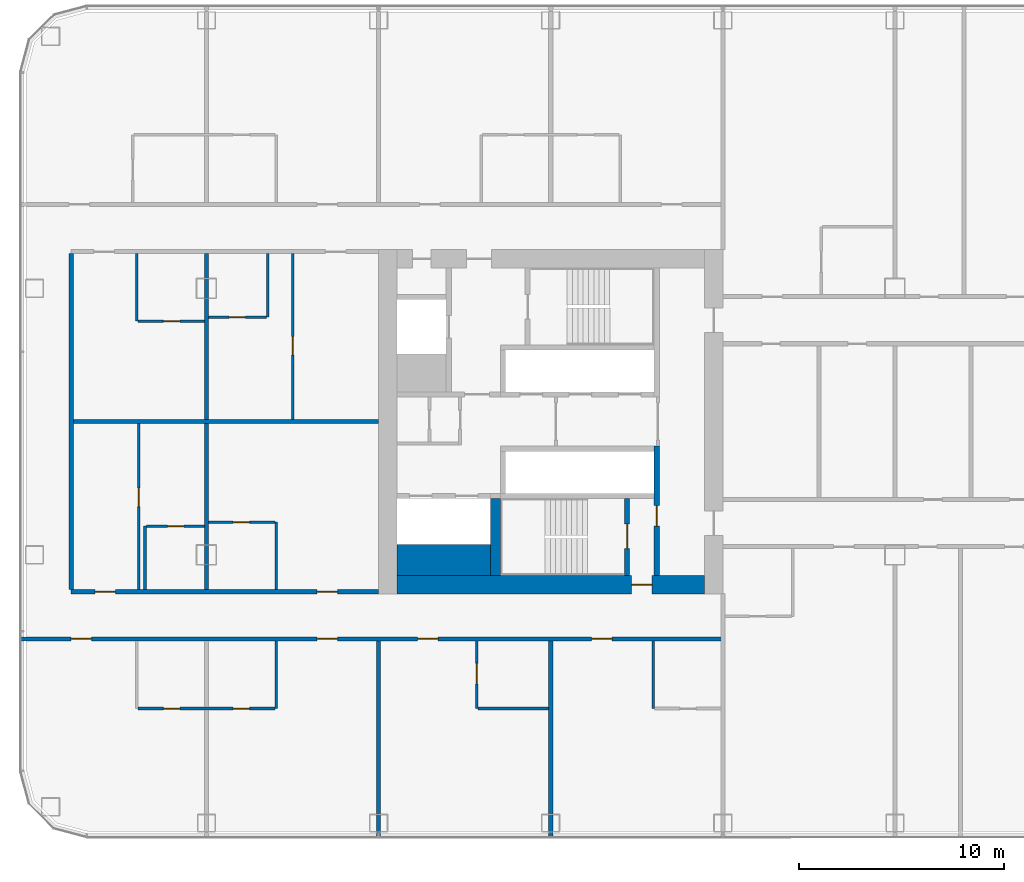
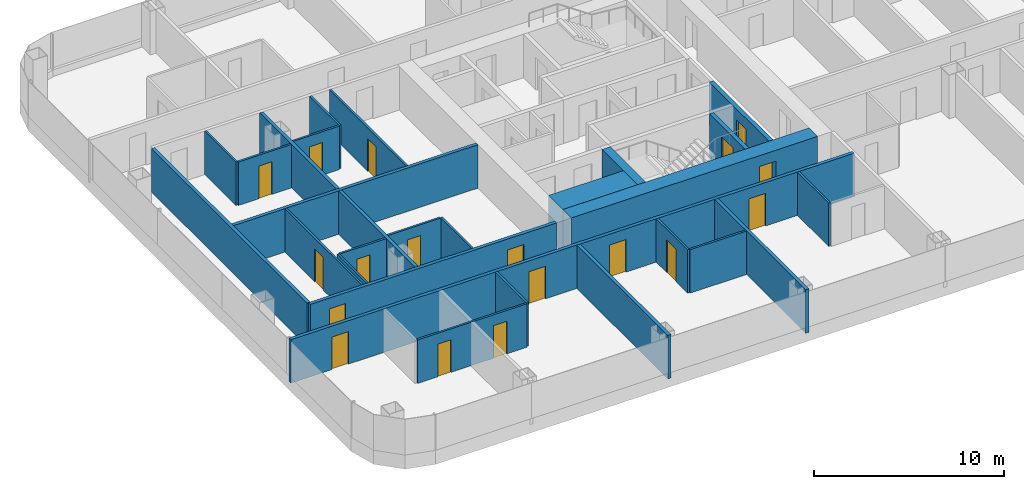
# One storey, part 13 of 28: 27 walls, 18 doors, 18 openings.
"""IFC4 building model written with IfcOpenShell, lengths in metres."""

from ifc_helpers import new_model, si_unit, direction, frame, frame_2d, origin, place, context, subcontext, project, spatial, rectangle, extrude, material, layer, layer_set, type_object, element, fill, save


model = new_model("IFC4")

# Units and contexts
model_context = context("Model", 3, precision=1e-05, world=origin(), true_north=direction((0.0, 1.0)))
body_context = subcontext(model_context, "Body", "Model", "MODEL_VIEW")
ifc_project = project(units=[si_unit("LENGTHUNIT", "METRE"), si_unit("AREAUNIT", "SQUARE_METRE"), si_unit("VOLUMEUNIT", "CUBIC_METRE"), si_unit("PLANEANGLEUNIT", "RADIAN"), si_unit("MASSUNIT", "GRAM", prefix="KILO")], contexts=[model_context])

# Site, building, storey
site_placement = place(None, origin())
site = spatial("IfcSite", under=ifc_project, at=site_placement, CompositionType="ELEMENT")
building_placement = place(site_placement, origin())
building = spatial("IfcBuilding", under=site, at=building_placement, Name="Hakoniwa Tower and Hamabe Station Hall", CompositionType="ELEMENT")
storey_placement = place(building_placement, frame((0.0, 0.0, 35.800048828125)))
storey = spatial("IfcBuildingStorey", under=building, at=storey_placement, Name="L09", CompositionType="ELEMENT", Elevation=35.800048828125)

# Wall, openings, doors
ifc_material_1 = material(Name="Gypsum board partition", Category="gypsum")
ifc_layer_1 = layer(ifc_material_1, 0.125)
ifc_layer_set_1 = layer_set([ifc_layer_1], Name="Bathroom Partition 125")
wall_type_1 = type_object("IfcWallType", Name="Bathroom Partition 125", PredefinedType="PARTITIONING", material=ifc_layer_set_1)
wall_1_placement = place(storey_placement, frame((-45.33740234375, -14.0, 0.0), z_axis=(0.0, 0.0, 1.0), x_axis=(1.0, 0.0, 0.0)))
wall_1 = element("IfcWall", 1, at=wall_1_placement, inside=storey, type_object=wall_type_1, Name="GW-L09-001", PredefinedType="PARTITIONING", context=body_context, shape_type="SweptSolid", body=[
    extrude(rectangle(XDim=6.6748046875, YDim=0.125, at=frame_2d((3.33740234375, 0.0))), origin(), (0.0, 0.0, 1.0), 2.800048828125),
])
opening_1_placement = place(wall_1_placement, frame((1.237548828125, 0.0, 0.0)))
opening_1 = element("IfcOpeningElement", 2, at=opening_1_placement, cuts=wall_1, Name="Opening GD-G1A1-01", PredefinedType="OPENING", context=body_context, shape_type="SweptSolid", body=[
    extrude(rectangle(XDim=0.800048828125, YDim=2.10009765625, at=frame_2d((0.39990234375, 1.050048828125))), frame((0.0, 0.072509765625, 0.0), z_axis=(0.0, -1.0, 0.0), x_axis=(1.0, 0.0, 0.0)), (0.0, 0.0, 1.0), 0.14501953125),
])
opening_2_placement = place(wall_1_placement, frame((4.637451171875, 0.0, 0.0)))
opening_2 = element("IfcOpeningElement", 3, at=opening_2_placement, cuts=wall_1, Name="Opening GD-G1A1-02", PredefinedType="OPENING", context=body_context, shape_type="SweptSolid", body=[
    extrude(rectangle(XDim=0.800048828125, YDim=2.10009765625, at=frame_2d((0.39990234375, 1.050048828125))), frame((0.0, 0.072509765625, 0.0), z_axis=(0.0, -1.0, 0.0), x_axis=(1.0, 0.0, 0.0)), (0.0, 0.0, 1.0), 0.14501953125),
])
ifc_material_2 = material(Name="Timber door leaf", Category="wood")
door_type_1 = type_object("IfcDoorType", Name="Bathroom Door 800", OperationType="SINGLE_SWING_LEFT", PredefinedType="DOOR", material=ifc_material_2)
door_1_placement = place(opening_1_placement, origin())
door_1 = element("IfcDoor", 4, at=door_1_placement, inside=storey, type_object=door_type_1, Name="Door GD-G1A1-01", OperationType="SINGLE_SWING_LEFT", OverallHeight=2.10009765625, OverallWidth=0.800048828125, PredefinedType="DOOR", context=body_context, shape_type="SweptSolid", body=[
    extrude(rectangle(XDim=0.800048828125, YDim=2.10009765625, at=frame_2d((0.39990234375, 1.050048828125))), frame((0.0, 0.02490234375, 0.0), z_axis=(0.0, -1.0, 0.0), x_axis=(1.0, 0.0, 0.0)), (0.0, 0.0, 1.0), 0.050048828125),
])
fill(opening_1, door_1)
door_2_placement = place(opening_2_placement, origin())
door_2 = element("IfcDoor", 5, at=door_2_placement, inside=storey, type_object=door_type_1, Name="Door GD-G1A1-02", OperationType="SINGLE_SWING_RIGHT", OverallHeight=2.10009765625, OverallWidth=0.800048828125, PredefinedType="DOOR", context=body_context, shape_type="SweptSolid", body=[
    extrude(rectangle(XDim=0.800048828125, YDim=2.10009765625, at=frame_2d((0.39990234375, 1.050048828125))), frame((0.0, 0.02490234375, 0.0), z_axis=(0.0, -1.0, 0.0), x_axis=(1.0, 0.0, 0.0)), (0.0, 0.0, 1.0), 0.050048828125),
])
fill(opening_2, door_2)

# Wall
wall_2_placement = place(storey_placement, frame((-28.737548828125, -14.0, 0.0), z_axis=(0.0, 0.0, 1.0), x_axis=(1.0, 0.0, 0.0)))
element("IfcWall", 6, at=wall_2_placement, inside=storey, type_object=wall_type_1, Name="GW-L09-002", PredefinedType="PARTITIONING", context=body_context, shape_type="SweptSolid", body=[
    extrude(rectangle(XDim=3.4375, YDim=0.125, at=frame_2d((1.71875, 0.0))), origin(), (0.0, 0.0, 1.0), 2.800048828125),
])

# Wall, opening, door
wall_3_placement = place(storey_placement, frame((-44.9375, -5.10009765625, 0.0), z_axis=(0.0, 0.0, 1.0), x_axis=(1.0, 0.0, 0.0)))
wall_3 = element("IfcWall", 7, at=wall_3_placement, inside=storey, type_object=wall_type_1, Name="GW-L09-015", PredefinedType="PARTITIONING", context=body_context, shape_type="SweptSolid", body=[
    extrude(rectangle(XDim=2.83740234375, YDim=0.125, at=frame_2d((1.418701171875, 0.0))), origin(), (0.0, 0.0, 1.0), 2.800048828125),
])
opening_3_placement = place(wall_3_placement, frame((1.03759765625, 0.0, 0.0)))
opening_3 = element("IfcOpeningElement", 8, at=opening_3_placement, cuts=wall_3, Name="Opening GD-G1A1-28", PredefinedType="OPENING", context=body_context, shape_type="SweptSolid", body=[
    extrude(rectangle(XDim=0.800048828125, YDim=2.10009765625, at=frame_2d((0.39990234375, 1.050048828125))), frame((0.0, 0.072509765625, 0.0), z_axis=(0.0, -1.0, 0.0), x_axis=(1.0, 0.0, 0.0)), (0.0, 0.0, 1.0), 0.14501953125),
])
door_3_placement = place(opening_3_placement, origin())
door_3 = element("IfcDoor", 9, at=door_3_placement, inside=storey, type_object=door_type_1, Name="Door GD-G1A1-28", OperationType="SINGLE_SWING_LEFT", OverallHeight=2.10009765625, OverallWidth=0.800048828125, PredefinedType="DOOR", context=body_context, shape_type="SweptSolid", body=[
    extrude(rectangle(XDim=0.800048828125, YDim=2.10009765625, at=frame_2d((0.39990234375, 1.050048828125))), frame((0.0, 0.02490234375, 0.0), z_axis=(0.0, -1.0, 0.0), x_axis=(1.0, 0.0, 0.0)), (0.0, 0.0, 1.0), 0.050048828125),
])
fill(opening_3, door_3)

wall_4_placement = place(storey_placement, frame((-41.89990234375, -4.89990234375, 0.0), z_axis=(0.0, 0.0, 1.0), x_axis=(1.0, 0.0, 0.0)))
wall_4 = element("IfcWall", 10, at=wall_4_placement, inside=storey, type_object=wall_type_1, Name="GW-L09-017", PredefinedType="PARTITIONING", context=body_context, shape_type="SweptSolid", body=[
    extrude(rectangle(XDim=3.2373046875, YDim=0.125, at=frame_2d((1.61865234375, 0.0))), origin(), (0.0, 0.0, 1.0), 2.800048828125),
])
opening_4_placement = place(wall_4_placement, frame((1.199951171875, 0.0, 0.0)))
opening_4 = element("IfcOpeningElement", 11, at=opening_4_placement, cuts=wall_4, Name="Opening GD-G1A1-30", PredefinedType="OPENING", context=body_context, shape_type="SweptSolid", body=[
    extrude(rectangle(XDim=0.800048828125, YDim=2.10009765625, at=frame_2d((0.39990234375, 1.050048828125))), frame((0.0, 0.072509765625, 0.0), z_axis=(0.0, -1.0, 0.0), x_axis=(1.0, 0.0, 0.0)), (0.0, 0.0, 1.0), 0.14501953125),
])
door_4_placement = place(opening_4_placement, origin())
door_4 = element("IfcDoor", 12, at=door_4_placement, inside=storey, type_object=door_type_1, Name="Door GD-G1A1-30", OperationType="SINGLE_SWING_RIGHT", OverallHeight=2.10009765625, OverallWidth=0.800048828125, PredefinedType="DOOR", context=body_context, shape_type="SweptSolid", body=[
    extrude(rectangle(XDim=0.800048828125, YDim=2.10009765625, at=frame_2d((0.39990234375, 1.050048828125))), frame((0.0, 0.02490234375, 0.0), z_axis=(0.0, -1.0, 0.0), x_axis=(1.0, 0.0, 0.0)), (0.0, 0.0, 1.0), 0.050048828125),
])
fill(opening_4, door_4)

wall_5_placement = place(storey_placement, frame((-45.33740234375, 4.89990234375, 0.0), z_axis=(0.0, 0.0, 1.0), x_axis=(1.0, 0.0, 0.0)))
wall_5 = element("IfcWall", 13, at=wall_5_placement, inside=storey, type_object=wall_type_1, Name="GW-L09-023", PredefinedType="PARTITIONING", context=body_context, shape_type="SweptSolid", body=[
    extrude(rectangle(XDim=3.2373046875, YDim=0.125, at=frame_2d((1.61865234375, 0.0))), origin(), (0.0, 0.0, 1.0), 2.800048828125),
])
opening_5_placement = place(wall_5_placement, frame((1.237548828125, 0.0, 0.0)))
opening_5 = element("IfcOpeningElement", 14, at=opening_5_placement, cuts=wall_5, Name="Opening GD-G1A1-40", PredefinedType="OPENING", context=body_context, shape_type="SweptSolid", body=[
    extrude(rectangle(XDim=0.800048828125, YDim=2.10009765625, at=frame_2d((0.39990234375, 1.050048828125))), frame((0.0, 0.072509765625, 0.0), z_axis=(0.0, -1.0, 0.0), x_axis=(1.0, 0.0, 0.0)), (0.0, 0.0, 1.0), 0.14501953125),
])
door_5_placement = place(opening_5_placement, origin())
door_5 = element("IfcDoor", 15, at=door_5_placement, inside=storey, type_object=door_type_1, Name="Door GD-G1A1-40", OperationType="SINGLE_SWING_RIGHT", OverallHeight=2.10009765625, OverallWidth=0.800048828125, PredefinedType="DOOR", context=body_context, shape_type="SweptSolid", body=[
    extrude(rectangle(XDim=0.800048828125, YDim=2.10009765625, at=frame_2d((0.39990234375, 1.050048828125))), frame((0.0, 0.02490234375, 0.0), z_axis=(0.0, -1.0, 0.0), x_axis=(1.0, 0.0, 0.0)), (0.0, 0.0, 1.0), 0.050048828125),
])
fill(opening_5, door_5)

wall_6_placement = place(storey_placement, frame((-41.89990234375, 5.10009765625, 0.0), z_axis=(0.0, 0.0, 1.0), x_axis=(1.0, 0.0, 0.0)))
wall_6 = element("IfcWall", 16, at=wall_6_placement, inside=storey, type_object=wall_type_1, Name="GW-L09-026", PredefinedType="PARTITIONING", context=body_context, shape_type="SweptSolid", body=[
    extrude(rectangle(XDim=2.83740234375, YDim=0.125, at=frame_2d((1.418701171875, 0.0))), origin(), (0.0, 0.0, 1.0), 2.800048828125),
])
opening_6_placement = place(wall_6_placement, frame((1.0, 0.0, 0.0)))
opening_6 = element("IfcOpeningElement", 17, at=opening_6_placement, cuts=wall_6, Name="Opening GD-G1A1-43", PredefinedType="OPENING", context=body_context, shape_type="SweptSolid", body=[
    extrude(rectangle(XDim=0.800048828125, YDim=2.10009765625, at=frame_2d((0.39990234375, 1.050048828125))), frame((0.0, 0.072509765625, 0.0), z_axis=(0.0, -1.0, 0.0), x_axis=(1.0, 0.0, 0.0)), (0.0, 0.0, 1.0), 0.14501953125),
])
door_6_placement = place(opening_6_placement, origin())
door_6 = element("IfcDoor", 18, at=door_6_placement, inside=storey, type_object=door_type_1, Name="Door GD-G1A1-43", OperationType="SINGLE_SWING_LEFT", OverallHeight=2.10009765625, OverallWidth=0.800048828125, PredefinedType="DOOR", context=body_context, shape_type="SweptSolid", body=[
    extrude(rectangle(XDim=0.800048828125, YDim=2.10009765625, at=frame_2d((0.39990234375, 1.050048828125))), frame((0.0, 0.02490234375, 0.0), z_axis=(0.0, -1.0, 0.0), x_axis=(1.0, 0.0, 0.0)), (0.0, 0.0, 1.0), 0.050048828125),
])
fill(opening_6, door_6)

# Walls
wall_7_placement = place(storey_placement, frame((-45.39990234375, 4.89990234375, 0.0), z_axis=(0.0, 0.0, 1.0), x_axis=(0.0, 1.0, 0.0)))
element("IfcWall", 19, at=wall_7_placement, inside=storey, type_object=wall_type_1, Name="GW-L09-042", PredefinedType="PARTITIONING", context=body_context, shape_type="SweptSolid", body=[
    extrude(rectangle(XDim=3.300048828125, YDim=0.125, at=frame_2d((1.64990234375, 0.0))), origin(), (0.0, 0.0, 1.0), 2.800048828125),
])
for number, where, z_axis, x_axis, name in (
    (20, (-45.0, -8.199951171875, 0.0), (0.0, 0.0, 1.0), (0.0, 1.0, 0.0), "GW-L09-044"),
    (21, (-39.0, 5.10009765625, 0.0), (0.0, 0.0, 1.0), (0.0, 1.0, 0.0), "GW-L09-048"),
):
    element("IfcWall", number, at=place(storey_placement, frame(where, z_axis=z_axis, x_axis=x_axis)), inside=storey, type_object=wall_type_1, Name=name, PredefinedType="PARTITIONING", context=body_context, shape_type="SweptSolid", body=[
        extrude(rectangle(XDim=3.099853515625, YDim=0.125, at=frame_2d((1.5498046875, 0.0))), origin(), (0.0, 0.0, 1.0), 2.800048828125),
    ])
for number, where, z_axis, x_axis, name in (
    (22, (-38.60009765625, -14.0, 0.0), (0.0, 0.0, 1.0), (0.0, 1.0, 0.0), "GW-L09-049"),
    (23, (-38.60009765625, -8.199951171875, 0.0), (0.0, 0.0, 1.0), (0.0, 1.0, 0.0), "GW-L09-050"),
):
    element("IfcWall", number, at=place(storey_placement, frame(where, z_axis=z_axis, x_axis=x_axis)), inside=storey, type_object=wall_type_1, Name=name, PredefinedType="PARTITIONING", context=body_context, shape_type="SweptSolid", body=[
        extrude(rectangle(XDim=3.300048828125, YDim=0.125, at=frame_2d((1.64990234375, 0.0))), origin(), (0.0, 0.0, 1.0), 2.800048828125),
    ])

# Wall, opening, door
wall_8_placement = place(storey_placement, frame((-28.800048828125, -14.0, 0.0), z_axis=(0.0, 0.0, 1.0), x_axis=(0.0, 1.0, 0.0)))
wall_8 = element("IfcWall", 24, at=wall_8_placement, inside=storey, type_object=wall_type_1, Name="GW-L09-055", PredefinedType="PARTITIONING", context=body_context, shape_type="SweptSolid", body=[
    extrude(rectangle(XDim=3.300048828125, YDim=0.125, at=frame_2d((1.64990234375, 0.0))), origin(), (0.0, 0.0, 1.0), 2.800048828125),
])
opening_7_placement = place(wall_8_placement, frame((1.199951171875, 0.0, 0.0)))
opening_7 = element("IfcOpeningElement", 25, at=opening_7_placement, cuts=wall_8, Name="Opening GD-G1A1-73", PredefinedType="OPENING", context=body_context, shape_type="SweptSolid", body=[
    extrude(rectangle(XDim=1.0, YDim=2.10009765625, at=frame_2d((0.5, 1.050048828125))), frame((0.0, 0.072509765625, 0.0), z_axis=(0.0, -1.0, 0.0), x_axis=(1.0, 0.0, 0.0)), (0.0, 0.0, 1.0), 0.14501953125),
])
ifc_material_3 = material(Name="Timber door leaf", Category="wood")
door_type_2 = type_object("IfcDoorType", Name="Accessible Bathroom Door 1000", OperationType="SINGLE_SWING_LEFT", PredefinedType="DOOR", material=ifc_material_3)
door_7_placement = place(opening_7_placement, origin())
door_7 = element("IfcDoor", 26, at=door_7_placement, inside=storey, type_object=door_type_2, Name="Door GD-G1A1-73", OperationType="SINGLE_SWING_LEFT", OverallHeight=2.10009765625, OverallWidth=1.0, PredefinedType="DOOR", context=body_context, shape_type="SweptSolid", body=[
    extrude(rectangle(XDim=1.0, YDim=2.10009765625, at=frame_2d((0.5, 1.050048828125))), frame((0.0, 0.02490234375, 0.0), z_axis=(0.0, -1.0, 0.0), x_axis=(1.0, 0.0, 0.0)), (0.0, 0.0, 1.0), 0.050048828125),
])
fill(opening_7, door_7)

# Wall
wall_9_placement = place(storey_placement, frame((-20.199951171875, -14.0, 0.0), z_axis=(0.0, 0.0, 1.0), x_axis=(0.0, 1.0, 0.0)))
element("IfcWall", 27, at=wall_9_placement, inside=storey, type_object=wall_type_1, Name="GW-L09-060", PredefinedType="PARTITIONING", context=body_context, shape_type="SweptSolid", body=[
    extrude(rectangle(XDim=3.300048828125, YDim=0.125, at=frame_2d((1.64990234375, 0.0))), origin(), (0.0, 0.0, 1.0), 2.800048828125),
])

# Wall, opening, door
ifc_material_4 = material(Name="Concrete C80", Category="concrete")
ifc_layer_2 = layer(ifc_material_4, 0.89990234375)
ifc_layer_set_2 = layer_set([ifc_layer_2], Name="CORE WALL 900 C80")
wall_type_2 = type_object("IfcWallType", Name="CORE WALL 900 C80", PredefinedType="SHEAR", material=ifc_layer_set_2)
wall_10_placement = place(storey_placement, frame((-32.699951171875, -7.949951171875, 0.0), z_axis=(0.0, 0.0, 1.0), x_axis=(1.0, 0.0, 0.0)))
wall_10 = element("IfcWall", 28, at=wall_10_placement, inside=storey, type_object=wall_type_2, Name="Core wall SOUTH west", PredefinedType="SHEAR", context=body_context, shape_type="SweptSolid", body=[
    extrude(rectangle(XDim=15.0, YDim=0.89990234375, at=frame_2d((7.5, 0.0))), origin(), (0.0, 0.0, 1.0), 2.800048828125),
])
opening_8_placement = place(wall_10_placement, frame((11.449951171875, 0.0, 0.0)))
opening_8 = element("IfcOpeningElement", 29, at=opening_8_placement, cuts=wall_10, Name="Opening CD-W-FS3-10", PredefinedType="OPENING", context=body_context, shape_type="SweptSolid", body=[
    extrude(rectangle(XDim=1.0, YDim=2.10009765625, at=frame_2d((0.5, 1.050048828125))), frame((0.0, 0.4599609375, 0.0), z_axis=(0.0, -1.0, 0.0), x_axis=(1.0, 0.0, 0.0)), (0.0, 0.0, 1.0), 0.919921875),
])
ifc_material_5 = material(Name="Steel fire door", Category="steel")
door_type_3 = type_object("IfcDoorType", Name="CORE DOOR 1000 FD60", OperationType="NOTDEFINED", PredefinedType="DOOR", material=ifc_material_5)
door_8_placement = place(opening_8_placement, origin())
door_8 = element("IfcDoor", 30, at=door_8_placement, inside=storey, type_object=door_type_3, Name="Stair vestibule door", OperationType="SINGLE_SWING_RIGHT", OverallHeight=2.10009765625, OverallWidth=1.0, PredefinedType="DOOR", context=body_context, shape_type="SweptSolid", body=[
    extrude(rectangle(XDim=1.0, YDim=2.10009765625, at=frame_2d((0.5, 1.050048828125))), frame((0.0, 0.02490234375, 0.0), z_axis=(0.0, -1.0, 0.0), x_axis=(1.0, 0.0, 0.0)), (0.0, 0.0, 1.0), 0.050048828125),
])
fill(opening_8, door_8)

# Wall
ifc_material_6 = material(Name="Concrete C80", Category="concrete")
ifc_layer_3 = layer(ifc_material_6, 1.5)
ifc_layer_set_3 = layer_set([ifc_layer_3], Name="CORE WEB WALL 1500 C80")
wall_type_3 = type_object("IfcWallType", Name="CORE WEB WALL 1500 C80", PredefinedType="SHEAR", material=ifc_layer_set_3)
wall_11_placement = place(storey_placement, frame((-32.699951171875, -6.75, 0.0), z_axis=(0.0, 0.0, 1.0), x_axis=(1.0, 0.0, 0.0)))
element("IfcWall", 31, at=wall_11_placement, inside=storey, type_object=wall_type_3, Name="Core wall SER west", PredefinedType="SHEAR", context=body_context, shape_type="SweptSolid", body=[
    extrude(rectangle(XDim=4.550048828125, YDim=1.5, at=frame_2d((2.27490234375, 0.0))), origin(), (0.0, 0.0, 1.0), 2.800048828125),
])

# Wall, opening, door
ifc_material_7 = material(Name="Concrete C80", Category="concrete")
ifc_layer_4 = layer(ifc_material_7, 0.25)
ifc_layer_set_4 = layer_set([ifc_layer_4], Name="CORE WEB WALL 250 C80")
wall_type_4 = type_object("IfcWallType", Name="CORE WEB WALL 250 C80", PredefinedType="SHEAR", material=ifc_layer_set_4)
wall_12_placement = place(storey_placement, frame((-20.02490234375, -7.5, 0.0), z_axis=(0.0, 0.0, 1.0), x_axis=(0.0, 1.0, 0.0)))
wall_12 = element("IfcWall", 32, at=wall_12_placement, inside=storey, type_object=wall_type_4, Name="Core wall W1S west", PredefinedType="SHEAR", context=body_context, shape_type="SweptSolid", body=[
    extrude(rectangle(XDim=6.300048828125, YDim=0.25, at=frame_2d((3.14990234375, 0.0))), origin(), (0.0, 0.0, 1.0), 2.800048828125),
])
opening_9_placement = place(wall_12_placement, frame((2.39990234375, 0.0, 0.0)))
opening_9 = element("IfcOpeningElement", 33, at=opening_9_placement, cuts=wall_12, Name="Opening CD-W-VS-10", PredefinedType="OPENING", context=body_context, shape_type="SweptSolid", body=[
    extrude(rectangle(XDim=1.0, YDim=2.10009765625, at=frame_2d((0.5, 1.050048828125))), frame((0.0, 0.135009765625, 0.0), z_axis=(0.0, -1.0, 0.0), x_axis=(1.0, 0.0, 0.0)), (0.0, 0.0, 1.0), 0.27001953125),
])
door_9_placement = place(opening_9_placement, origin())
door_9 = element("IfcDoor", 34, at=door_9_placement, inside=storey, type_object=door_type_3, Name="Stair vestibule door", OperationType="SINGLE_SWING_LEFT", OverallHeight=2.10009765625, OverallWidth=1.0, PredefinedType="DOOR", context=body_context, shape_type="SweptSolid", body=[
    extrude(rectangle(XDim=1.0, YDim=2.10009765625, at=frame_2d((0.5, 1.050048828125))), frame((0.0, 0.02490234375, 0.0), z_axis=(0.0, -1.0, 0.0), x_axis=(1.0, 0.0, 0.0)), (0.0, 0.0, 1.0), 0.050048828125),
])
fill(opening_9, door_9)

wall_13_placement = place(storey_placement, frame((-21.47509765625, -7.5, 0.0), z_axis=(0.0, 0.0, 1.0), x_axis=(0.0, 1.0, 0.0)))
wall_13 = element("IfcWall", 35, at=wall_13_placement, inside=storey, type_object=wall_type_4, Name="Core wall VE west", PredefinedType="SHEAR", context=body_context, shape_type="SweptSolid", body=[
    extrude(rectangle(XDim=3.75, YDim=0.25, at=frame_2d((1.875, 0.0))), origin(), (0.0, 0.0, 1.0), 2.800048828125),
])
opening_10_placement = place(wall_13_placement, frame((1.300048828125, 0.0, 0.0)))
opening_10 = element("IfcOpeningElement", 36, at=opening_10_placement, cuts=wall_13, Name="Opening CD-W-SS-12", PredefinedType="OPENING", context=body_context, shape_type="SweptSolid", body=[
    extrude(rectangle(XDim=1.199951171875, YDim=2.10009765625, at=frame_2d((0.60009765625, 1.050048828125))), frame((0.0, 0.135009765625, 0.0), z_axis=(0.0, -1.0, 0.0), x_axis=(1.0, 0.0, 0.0)), (0.0, 0.0, 1.0), 0.27001953125),
])
ifc_material_8 = material(Name="Steel fire door", Category="steel")
door_type_4 = type_object("IfcDoorType", Name="CORE DOOR 1200 FD60", OperationType="DOUBLE_DOOR_SINGLE_SWING", PredefinedType="DOOR", material=ifc_material_8)
door_10_placement = place(opening_10_placement, origin())
door_10 = element("IfcDoor", 37, at=door_10_placement, inside=storey, type_object=door_type_4, Name="Escape stair door", OperationType="DOUBLE_DOOR_SINGLE_SWING", OverallHeight=2.10009765625, OverallWidth=1.199951171875, PredefinedType="DOOR", context=body_context, shape_type="SweptSolid", body=[
    extrude(rectangle(XDim=1.199951171875, YDim=2.10009765625, at=frame_2d((0.60009765625, 1.050048828125))), frame((0.0, 0.02490234375, 0.0), z_axis=(0.0, -1.0, 0.0), x_axis=(1.0, 0.0, 0.0)), (0.0, 0.0, 1.0), 0.050048828125),
])
fill(opening_10, door_10)

# Wall
ifc_material_9 = material(Name="Concrete C80", Category="concrete")
ifc_layer_5 = layer(ifc_material_9, 0.5)
ifc_layer_set_5 = layer_set([ifc_layer_5], Name="CORE WEB WALL 500 C80")
wall_type_5 = type_object("IfcWallType", Name="CORE WEB WALL 500 C80", PredefinedType="SHEAR", material=ifc_layer_set_5)
wall_14_placement = place(storey_placement, frame((-27.89990234375, -7.5, 0.0), z_axis=(0.0, 0.0, 1.0), x_axis=(0.0, 1.0, 0.0)))
element("IfcWall", 38, at=wall_14_placement, inside=storey, type_object=wall_type_5, Name="Core wall SSE west", PredefinedType="SHEAR", context=body_context, shape_type="SweptSolid", body=[
    extrude(rectangle(XDim=3.75, YDim=0.5, at=frame_2d((1.875, 0.0))), origin(), (0.0, 0.0, 1.0), 2.800048828125),
])

# Wall, openings, doors
ifc_material_10 = material(Name="Fire-rated gypsum board partition", Category="gypsum")
ifc_layer_6 = layer(ifc_material_10, 0.199951171875)
ifc_layer_set_6 = layer_set([ifc_layer_6], Name="Corridor Wall 200")
wall_type_6 = type_object("IfcWallType", Name="Corridor Wall 200", PredefinedType="PARTITIONING", material=ifc_layer_set_6)
wall_15_placement = place(storey_placement, frame((-51.10009765625, -10.60009765625, 0.0), z_axis=(0.0, 0.0, 1.0), x_axis=(1.0, 0.0, 0.0)))
wall_15 = element("IfcWall", 39, at=wall_15_placement, inside=storey, type_object=wall_type_6, Name="GW-L09-007", PredefinedType="PARTITIONING", context=body_context, shape_type="SweptSolid", body=[
    extrude(rectangle(XDim=34.300048828125, YDim=0.199951171875, at=frame_2d((17.14990234375, 0.0))), origin(), (0.0, 0.0, 1.0), 2.800048828125),
])
opening_11_placement = place(wall_15_placement, frame((2.5, 0.0, 0.0)))
opening_11 = element("IfcOpeningElement", 40, at=opening_11_placement, cuts=wall_15, Name="Opening GD-G1A1-08", PredefinedType="OPENING", context=body_context, shape_type="SweptSolid", body=[
    extrude(rectangle(XDim=1.0, YDim=2.10009765625, at=frame_2d((0.5, 1.050048828125))), frame((0.0, 0.10986328125, 0.0), z_axis=(0.0, -1.0, 0.0), x_axis=(1.0, 0.0, 0.0)), (0.0, 0.0, 1.0), 0.219970703125),
])
opening_12_placement = place(wall_15_placement, frame((14.5, 0.0, 0.0)))
opening_12 = element("IfcOpeningElement", 41, at=opening_12_placement, cuts=wall_15, Name="Opening GD-G1A1-09", PredefinedType="OPENING", context=body_context, shape_type="SweptSolid", body=[
    extrude(rectangle(XDim=1.0, YDim=2.10009765625, at=frame_2d((0.5, 1.050048828125))), frame((0.0, 0.10986328125, 0.0), z_axis=(0.0, -1.0, 0.0), x_axis=(1.0, 0.0, 0.0)), (0.0, 0.0, 1.0), 0.219970703125),
])
opening_13_placement = place(wall_15_placement, frame((19.39990234375, 0.0, 0.0)))
opening_13 = element("IfcOpeningElement", 42, at=opening_13_placement, cuts=wall_15, Name="Opening GD-G1A1-10", PredefinedType="OPENING", context=body_context, shape_type="SweptSolid", body=[
    extrude(rectangle(XDim=1.0, YDim=2.10009765625, at=frame_2d((0.5, 1.050048828125))), frame((0.0, 0.10986328125, 0.0), z_axis=(0.0, -1.0, 0.0), x_axis=(1.0, 0.0, 0.0)), (0.0, 0.0, 1.0), 0.219970703125),
])
opening_14_placement = place(wall_15_placement, frame((27.89990234375, 0.0, 0.0)))
opening_14 = element("IfcOpeningElement", 43, at=opening_14_placement, cuts=wall_15, Name="Opening GD-G1A1-11", PredefinedType="OPENING", context=body_context, shape_type="SweptSolid", body=[
    extrude(rectangle(XDim=1.0, YDim=2.10009765625, at=frame_2d((0.5, 1.050048828125))), frame((0.0, 0.10986328125, 0.0), z_axis=(0.0, -1.0, 0.0), x_axis=(1.0, 0.0, 0.0)), (0.0, 0.0, 1.0), 0.219970703125),
])
ifc_material_11 = material(Name="Timber door leaf", Category="wood")
door_type_5 = type_object("IfcDoorType", Name="Accessible Guest Entrance Door 1000", OperationType="SINGLE_SWING_LEFT", PredefinedType="DOOR", material=ifc_material_11)
door_11_placement = place(opening_13_placement, origin())
door_11 = element("IfcDoor", 44, at=door_11_placement, inside=storey, type_object=door_type_5, Name="Door GD-G1A1-10", OperationType="SINGLE_SWING_RIGHT", OverallHeight=2.10009765625, OverallWidth=1.0, PredefinedType="DOOR", context=body_context, shape_type="SweptSolid", body=[
    extrude(rectangle(XDim=1.0, YDim=2.10009765625, at=frame_2d((0.5, 1.050048828125))), frame((0.0, 0.02490234375, 0.0), z_axis=(0.0, -1.0, 0.0), x_axis=(1.0, 0.0, 0.0)), (0.0, 0.0, 1.0), 0.050048828125),
])
fill(opening_13, door_11)
ifc_material_12 = material(Name="Timber door leaf", Category="wood")
door_type_6 = type_object("IfcDoorType", Name="Guest Entrance Door 1000", OperationType="SINGLE_SWING_LEFT", PredefinedType="DOOR", material=ifc_material_12)
door_12_placement = place(opening_11_placement, origin())
door_12 = element("IfcDoor", 45, at=door_12_placement, inside=storey, type_object=door_type_6, Name="Door GD-G1A1-08", OperationType="SINGLE_SWING_LEFT", OverallHeight=2.10009765625, OverallWidth=1.0, PredefinedType="DOOR", context=body_context, shape_type="SweptSolid", body=[
    extrude(rectangle(XDim=1.0, YDim=2.10009765625, at=frame_2d((0.5, 1.050048828125))), frame((0.0, 0.02490234375, 0.0), z_axis=(0.0, -1.0, 0.0), x_axis=(1.0, 0.0, 0.0)), (0.0, 0.0, 1.0), 0.050048828125),
])
fill(opening_11, door_12)
door_13_placement = place(opening_12_placement, origin())
door_13 = element("IfcDoor", 46, at=door_13_placement, inside=storey, type_object=door_type_6, Name="Door GD-G1A1-09", OperationType="SINGLE_SWING_RIGHT", OverallHeight=2.10009765625, OverallWidth=1.0, PredefinedType="DOOR", context=body_context, shape_type="SweptSolid", body=[
    extrude(rectangle(XDim=1.0, YDim=2.10009765625, at=frame_2d((0.5, 1.050048828125))), frame((0.0, 0.02490234375, 0.0), z_axis=(0.0, -1.0, 0.0), x_axis=(1.0, 0.0, 0.0)), (0.0, 0.0, 1.0), 0.050048828125),
])
fill(opening_12, door_13)
door_14_placement = place(opening_14_placement, origin())
door_14 = element("IfcDoor", 47, at=door_14_placement, inside=storey, type_object=door_type_6, Name="Door GD-G1A1-11", OperationType="SINGLE_SWING_LEFT", OverallHeight=2.10009765625, OverallWidth=1.0, PredefinedType="DOOR", context=body_context, shape_type="SweptSolid", body=[
    extrude(rectangle(XDim=1.0, YDim=2.10009765625, at=frame_2d((0.5, 1.050048828125))), frame((0.0, 0.02490234375, 0.0), z_axis=(0.0, -1.0, 0.0), x_axis=(1.0, 0.0, 0.0)), (0.0, 0.0, 1.0), 0.050048828125),
])
fill(opening_14, door_14)

wall_16_placement = place(storey_placement, frame((-48.60009765625, -8.300048828125, 0.0), z_axis=(0.0, 0.0, 1.0), x_axis=(1.0, 0.0, 0.0)))
wall_16 = element("IfcWall", 48, at=wall_16_placement, inside=storey, type_object=wall_type_6, Name="GW-L09-012", PredefinedType="PARTITIONING", context=body_context, shape_type="SweptSolid", body=[
    extrude(rectangle(XDim=15.0, YDim=0.199951171875, at=frame_2d((7.5, 0.0))), origin(), (0.0, 0.0, 1.0), 2.800048828125),
])
opening_15_placement = place(wall_16_placement, frame((1.14990234375, 0.0, 0.0)))
opening_15 = element("IfcOpeningElement", 49, at=opening_15_placement, cuts=wall_16, Name="Opening GD-G1A1-19", PredefinedType="OPENING", context=body_context, shape_type="SweptSolid", body=[
    extrude(rectangle(XDim=1.0, YDim=2.10009765625, at=frame_2d((0.5, 1.050048828125))), frame((0.0, 0.10986328125, 0.0), z_axis=(0.0, -1.0, 0.0), x_axis=(1.0, 0.0, 0.0)), (0.0, 0.0, 1.0), 0.219970703125),
])
opening_16_placement = place(wall_16_placement, frame((12.0, 0.0, 0.0)))
opening_16 = element("IfcOpeningElement", 50, at=opening_16_placement, cuts=wall_16, Name="Opening GD-G1A1-20", PredefinedType="OPENING", context=body_context, shape_type="SweptSolid", body=[
    extrude(rectangle(XDim=1.0, YDim=2.10009765625, at=frame_2d((0.5, 1.050048828125))), frame((0.0, 0.10986328125, 0.0), z_axis=(0.0, -1.0, 0.0), x_axis=(1.0, 0.0, 0.0)), (0.0, 0.0, 1.0), 0.219970703125),
])
door_15_placement = place(opening_15_placement, origin())
door_15 = element("IfcDoor", 51, at=door_15_placement, inside=storey, type_object=door_type_6, Name="Door GD-G1A1-19", OperationType="SINGLE_SWING_LEFT", OverallHeight=2.10009765625, OverallWidth=1.0, PredefinedType="DOOR", context=body_context, shape_type="SweptSolid", body=[
    extrude(rectangle(XDim=1.0, YDim=2.10009765625, at=frame_2d((0.5, 1.050048828125))), frame((0.0, 0.02490234375, 0.0), z_axis=(0.0, -1.0, 0.0), x_axis=(1.0, 0.0, 0.0)), (0.0, 0.0, 1.0), 0.050048828125),
])
fill(opening_15, door_15)
door_16_placement = place(opening_16_placement, origin())
door_16 = element("IfcDoor", 52, at=door_16_placement, inside=storey, type_object=door_type_6, Name="Door GD-G1A1-20", OperationType="SINGLE_SWING_RIGHT", OverallHeight=2.10009765625, OverallWidth=1.0, PredefinedType="DOOR", context=body_context, shape_type="SweptSolid", body=[
    extrude(rectangle(XDim=1.0, YDim=2.10009765625, at=frame_2d((0.5, 1.050048828125))), frame((0.0, 0.02490234375, 0.0), z_axis=(0.0, -1.0, 0.0), x_axis=(1.0, 0.0, 0.0)), (0.0, 0.0, 1.0), 0.050048828125),
])
fill(opening_16, door_16)

# Walls
ifc_material_13 = material(Name="Fire-rated gypsum board partition", Category="gypsum")
ifc_layer_7 = layer(ifc_material_13, 0.199951171875)
ifc_layer_set_7 = layer_set([ifc_layer_7], Name="Party Wall 200")
wall_type_7 = type_object("IfcWallType", Name="Party Wall 200", PredefinedType="PARTITIONING", material=ifc_layer_set_7)
wall_17_placement = place(storey_placement, frame((-48.5, 0.0, 0.0), z_axis=(0.0, 0.0, 1.0), x_axis=(1.0, 0.0, 0.0)))
element("IfcWall", 53, at=wall_17_placement, inside=storey, type_object=wall_type_7, Name="GW-L09-020", PredefinedType="PARTITIONING", context=body_context, shape_type="SweptSolid", body=[
    extrude(rectangle(XDim=14.89990234375, YDim=0.199951171875, at=frame_2d((7.449951171875, 0.0))), origin(), (0.0, 0.0, 1.0), 2.800048828125),
])
for number, where, z_axis, x_axis, name in (
    (54, (-48.60009765625, -8.199951171875, 0.0), (0.0, 0.0, 1.0), (0.0, 1.0, 0.0), "GW-L09-039"),
    (55, (-42.0, -8.199951171875, 0.0), (0.0, 0.0, 1.0), (0.0, 1.0, 0.0), "GW-L09-046"),
):
    element("IfcWall", number, at=place(storey_placement, frame(where, z_axis=z_axis, x_axis=x_axis)), inside=storey, type_object=wall_type_7, Name=name, PredefinedType="PARTITIONING", context=body_context, shape_type="SweptSolid", body=[
        extrude(rectangle(XDim=16.39990234375, YDim=0.199951171875, at=frame_2d((8.199951171875, 0.0))), origin(), (0.0, 0.0, 1.0), 2.800048828125),
    ])
for number, where, z_axis, x_axis, name in (
    (56, (-33.60009765625, -20.300048828125, 0.0), (0.0, 0.0, 1.0), (0.0, 1.0, 0.0), "GW-L09-053"),
    (57, (-25.199951171875, -20.300048828125, 0.0), (0.0, 0.0, 1.0), (0.0, 1.0, 0.0), "GW-L09-057"),
):
    element("IfcWall", number, at=place(storey_placement, frame(where, z_axis=z_axis, x_axis=x_axis)), inside=storey, type_object=wall_type_7, Name=name, PredefinedType="PARTITIONING", context=body_context, shape_type="SweptSolid", body=[
        extrude(rectangle(XDim=9.60009765625, YDim=0.199951171875, at=frame_2d((4.800048828125, 0.0))), origin(), (0.0, 0.0, 1.0), 2.800048828125),
    ])

# Wall, opening, door
ifc_material_14 = material(Name="Gypsum board partition", Category="gypsum")
ifc_layer_8 = layer(ifc_material_14, 0.125)
ifc_layer_set_8 = layer_set([ifc_layer_8], Name="Room Partition 125")
wall_type_8 = type_object("IfcWallType", Name="Room Partition 125", PredefinedType="PARTITIONING", material=ifc_layer_set_8)
wall_18_placement = place(storey_placement, frame((-45.300048828125, -8.199951171875, 0.0), z_axis=(0.0, 0.0, 1.0), x_axis=(0.0, 1.0, 0.0)))
wall_18 = element("IfcWall", 58, at=wall_18_placement, inside=storey, type_object=wall_type_8, Name="GW-L09-043", PredefinedType="PARTITIONING", context=body_context, shape_type="SweptSolid", body=[
    extrude(rectangle(XDim=8.099853515625, YDim=0.125, at=frame_2d((4.0498046875, 0.0))), origin(), (0.0, 0.0, 1.0), 2.800048828125),
])
opening_17_placement = place(wall_18_placement, frame((4.050048828125, 0.0, 0.0)))
opening_17 = element("IfcOpeningElement", 59, at=opening_17_placement, cuts=wall_18, Name="Opening GD-G1A1-71", PredefinedType="OPENING", context=body_context, shape_type="SweptSolid", body=[
    extrude(rectangle(XDim=0.89990234375, YDim=2.10009765625, at=frame_2d((0.449951171875, 1.050048828125))), frame((0.0, 0.072509765625, 0.0), z_axis=(0.0, -1.0, 0.0), x_axis=(1.0, 0.0, 0.0)), (0.0, 0.0, 1.0), 0.14501953125),
])
ifc_material_15 = material(Name="Timber door leaf", Category="wood")
door_type_7 = type_object("IfcDoorType", Name="Suite Interior Door 900", OperationType="SINGLE_SWING_LEFT", PredefinedType="DOOR", material=ifc_material_15)
door_17_placement = place(opening_17_placement, origin())
door_17 = element("IfcDoor", 60, at=door_17_placement, inside=storey, type_object=door_type_7, Name="Door GD-G1A1-71", OperationType="SINGLE_SWING_LEFT", OverallHeight=2.10009765625, OverallWidth=0.89990234375, PredefinedType="DOOR", context=body_context, shape_type="SweptSolid", body=[
    extrude(rectangle(XDim=0.89990234375, YDim=2.10009765625, at=frame_2d((0.449951171875, 1.050048828125))), frame((0.0, 0.02490234375, 0.0), z_axis=(0.0, -1.0, 0.0), x_axis=(1.0, 0.0, 0.0)), (0.0, 0.0, 1.0), 0.050048828125),
])
fill(opening_17, door_17)

wall_19_placement = place(storey_placement, frame((-37.800048828125, 0.10009765625, 0.0), z_axis=(0.0, 0.0, 1.0), x_axis=(0.0, 1.0, 0.0)))
wall_19 = element("IfcWall", 61, at=wall_19_placement, inside=storey, type_object=wall_type_8, Name="GW-L09-052", PredefinedType="PARTITIONING", context=body_context, shape_type="SweptSolid", body=[
    extrude(rectangle(XDim=8.099853515625, YDim=0.125, at=frame_2d((4.0498046875, 0.0))), origin(), (0.0, 0.0, 1.0), 2.800048828125),
])
opening_18_placement = place(wall_19_placement, frame((3.14990234375, 0.0, 0.0)))
opening_18 = element("IfcOpeningElement", 62, at=opening_18_placement, cuts=wall_19, Name="Opening GD-G1A1-72", PredefinedType="OPENING", context=body_context, shape_type="SweptSolid", body=[
    extrude(rectangle(XDim=0.89990234375, YDim=2.10009765625, at=frame_2d((0.449951171875, 1.050048828125))), frame((0.0, 0.072509765625, 0.0), z_axis=(0.0, -1.0, 0.0), x_axis=(1.0, 0.0, 0.0)), (0.0, 0.0, 1.0), 0.14501953125),
])
door_18_placement = place(opening_18_placement, origin())
door_18 = element("IfcDoor", 63, at=door_18_placement, inside=storey, type_object=door_type_7, Name="Door GD-G1A1-72", OperationType="SINGLE_SWING_LEFT", OverallHeight=2.10009765625, OverallWidth=0.89990234375, PredefinedType="DOOR", context=body_context, shape_type="SweptSolid", body=[
    extrude(rectangle(XDim=0.89990234375, YDim=2.10009765625, at=frame_2d((0.449951171875, 1.050048828125))), frame((0.0, 0.02490234375, 0.0), z_axis=(0.0, -1.0, 0.0), x_axis=(1.0, 0.0, 0.0)), (0.0, 0.0, 1.0), 0.050048828125),
])
fill(opening_18, door_18)

save(model, "model.ifc")
